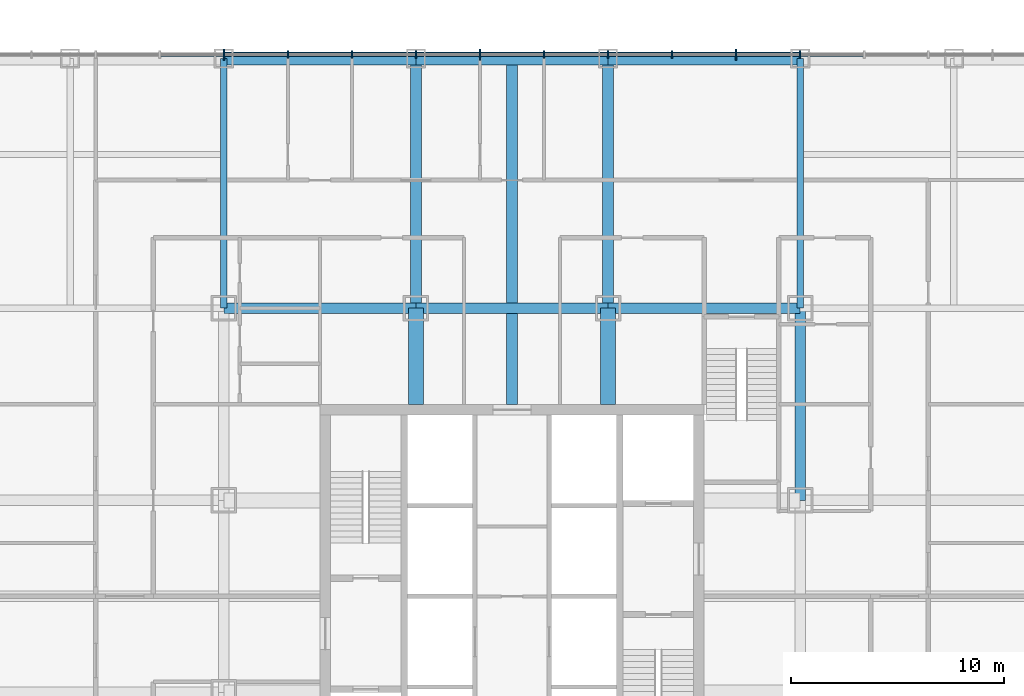
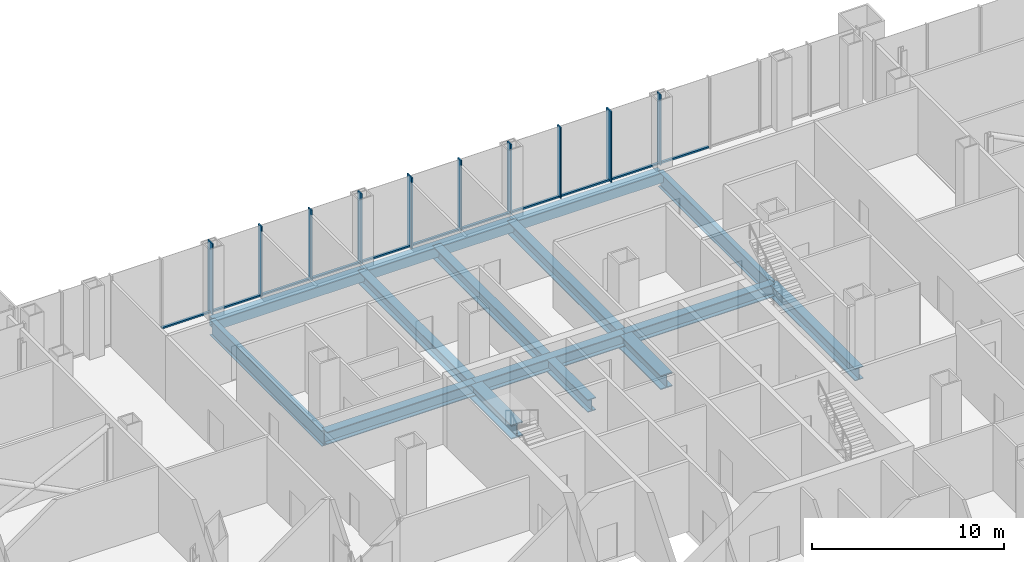
# One storey, part 9 of 25: 21 members, 14 beams, 1 element without a shape of its own.
"""IFC4 building model written with IfcOpenShell, lengths in metres."""

import ifcopenshell
import ifcopenshell.guid

model = None  # the IFC model being written
_history = None  # IfcOwnerHistory: only IFC2X3 demands one
_inside = {}  # id of a spatial element -> (the spatial element, [elements in it])
_under = {}  # id of a project, library or spatial element -> (it, [spatial elements below it])
_declared = {}  # id of a project -> (the project, [libraries it declares])
_typed = {}  # id of a type object -> (the type object, [elements of that type])
_made_of = {}  # id of a material, layer set ... -> (it, [elements and type objects made of it])


def new_model(schema):
    """Start an empty IFC model of exactly this schema.

    Asked for "IFC4X3", IfcOpenShell would pick the latest addendum, in which some entities
    have other attributes; the version numbers below select the first issue.
    IFC2X3 requires an IfcOwnerHistory on every rooted entity: one is made here for all.
    """
    global model, _history
    if schema == "IFC4X3":
        model = ifcopenshell.file(schema_version=(4, 3, 0, 0))
    else:
        model = ifcopenshell.file(schema=schema)
    _inside.clear()
    _under.clear()
    _declared.clear()
    _typed.clear()
    _made_of.clear()
    _history = None
    if model.schema == "IFC2X3":
        org = make("IfcOrganization", Name="unknown")
        user = make(
            "IfcPersonAndOrganization",
            ThePerson=make("IfcPerson", FamilyName="unknown"),
            TheOrganization=org,
        )
        app = make(
            "IfcApplication",
            ApplicationDeveloper=org,
            Version="unknown",
            ApplicationFullName="unknown",
            ApplicationIdentifier="unknown",
        )
        _history = make(
            "IfcOwnerHistory",
            OwningUser=user,
            OwningApplication=app,
            ChangeAction="ADDED",
            CreationDate=0,
        )
    return model


def make(cls, **values):
    """One entity of the class cls with the attributes given. An attribute that is None is left unset."""
    return model.create_entity(
        cls, **{name: value for name, value in values.items() if value is not None}
    )


def rooted(cls, **values):
    """An entity with a GlobalId (a new one), such as an element, a storey or a relation."""
    return make(cls, GlobalId=ifcopenshell.guid.new(), OwnerHistory=_history, **values)


def si_unit(unit_type, name, prefix=None):
    """IfcSIUnit, for example si_unit("LENGTHUNIT", "METRE", prefix="MILLI")."""
    return make("IfcSIUnit", UnitType=unit_type, Prefix=prefix, Name=name)


def assignment(units):
    """IfcUnitAssignment: the units of a project."""
    return None if units is None else make("IfcUnitAssignment", Units=units)


def point(xyz):
    """IfcCartesianPoint."""
    return None if xyz is None else make("IfcCartesianPoint", Coordinates=xyz)


def direction(xyz):
    """IfcDirection."""
    return None if xyz is None else make("IfcDirection", DirectionRatios=xyz)


def frame(location, z_axis=None, x_axis=None):
    """IfcAxis2Placement3D, a coordinate frame: its origin and axes. An axis left out is left unset."""
    return make(
        "IfcAxis2Placement3D",
        Location=point(location),
        Axis=direction(z_axis),
        RefDirection=direction(x_axis),
    )


def frame_2d(location, x_axis=None):
    """IfcAxis2Placement2D, a coordinate frame in the plane: its origin and x axis."""
    return make(
        "IfcAxis2Placement2D", Location=point(location), RefDirection=direction(x_axis)
    )


def origin():
    """The frame at (0, 0, 0) with its axes left unset."""
    return frame((0.0, 0.0, 0.0))


def origin_2d():
    """The frame at (0, 0) in the plane with its x axis left unset."""
    return frame_2d((0.0, 0.0))


def place(relative_to, where):
    """IfcLocalPlacement: puts the frame where relative to a parent placement (None: the world)."""
    return make(
        "IfcLocalPlacement", PlacementRelTo=relative_to, RelativePlacement=where
    )


def context(
    kind, dimensions, precision=None, world=None, true_north=None, identifier=None
):
    """IfcGeometricRepresentationContext, for example the 3D "Model" context."""
    return make(
        "IfcGeometricRepresentationContext",
        ContextIdentifier=identifier,
        ContextType=kind,
        CoordinateSpaceDimension=dimensions,
        Precision=precision,
        WorldCoordinateSystem=world,
        TrueNorth=true_north,
    )


def subcontext(parent, identifier, kind, view, scale=None):
    """IfcGeometricRepresentationSubContext, for example "Body" below "Model"."""
    return make(
        "IfcGeometricRepresentationSubContext",
        ContextIdentifier=identifier,
        ContextType=kind,
        ParentContext=parent,
        TargetScale=scale,
        TargetView=view,
    )


def project(units=None, contexts=None):
    """IfcProject with its units and contexts."""
    return rooted(
        "IfcProject",
        Name="project",
        RepresentationContexts=contexts,
        UnitsInContext=assignment(units),
    )


def spatial(cls, under=None, at=None, **own):
    """A site, building, storey or space (cls), placed at a placement, below another one or the project."""
    s = rooted(cls, ObjectPlacement=at, **own)
    if under is not None:
        _under.setdefault(under.id(), (under, []))[1].append(s)
    return s


def profile(cls, at=None, kind="AREA", **sizes):
    """A parametric profile (cls). Its sizes go by their IFC names, for example OverallWidth=200.0."""
    return make(cls, ProfileType=kind, Position=at, **sizes)


def rectangle(**sizes):
    """IfcRectangleProfileDef."""
    return profile("IfcRectangleProfileDef", **sizes)


def hollow_rectangle(**sizes):
    """IfcRectangleHollowProfileDef."""
    return profile("IfcRectangleHollowProfileDef", **sizes)


def i_section(**sizes):
    """IfcIShapeProfileDef."""
    return profile("IfcIShapeProfileDef", **sizes)


def extrude(swept, where, along, depth):
    """IfcExtrudedAreaSolid: the profile swept, set in the frame where, extruded along a direction by depth."""
    return make(
        "IfcExtrudedAreaSolid",
        SweptArea=swept,
        Position=where,
        ExtrudedDirection=direction(along),
        Depth=depth,
    )


def shape(context_of_items, identifier, shape_type, items):
    """IfcShapeRepresentation: the items that make up one representation, for example the "Body"."""
    return make(
        "IfcShapeRepresentation",
        ContextOfItems=context_of_items,
        RepresentationIdentifier=identifier,
        RepresentationType=shape_type,
        Items=items,
    )


def material(Name=None, Category=None):
    """IfcMaterial."""
    return make("IfcMaterial", Name=Name, Category=Category)


def layer(
    of_material, thickness, ventilated=None, Name=None, Category=None, Priority=None
):
    """IfcMaterialLayer: one layer of a wall or slab, of a material (None: an air gap)."""
    return make(
        "IfcMaterialLayer",
        Material=of_material,
        LayerThickness=thickness,
        IsVentilated=ventilated,
        Name=Name,
        Category=Category,
        Priority=Priority,
    )


def layer_set(layers, Name=None):
    """IfcMaterialLayerSet."""
    return make("IfcMaterialLayerSet", MaterialLayers=layers, LayerSetName=Name)


def material_profile(
    of_material, cross_section, Name=None, Category=None, Priority=None
):
    """IfcMaterialProfile: a cross section and its material."""
    return make(
        "IfcMaterialProfile",
        Name=Name,
        Material=of_material,
        Profile=cross_section,
        Priority=Priority,
        Category=Category,
    )


def profile_set(profiles, Name=None, composite=None):
    """IfcMaterialProfileSet."""
    return make(
        "IfcMaterialProfileSet",
        Name=Name,
        MaterialProfiles=profiles,
        CompositeProfile=composite,
    )


def made_of(thing, what):
    """Note that an element or type object is made of a material, layer set ...; save() writes the relation."""
    if what is not None:
        _made_of.setdefault(what.id(), (what, []))[1].append(thing)
    return thing


def type_object(cls, material=None, **own):
    """A type object (cls), such as IfcWallType, which elements share."""
    return made_of(rooted(cls, **own), material)


def element(
    cls,
    number,
    at=None,
    inside=None,
    cuts=None,
    type_object=None,
    material=None,
    context=None,
    identifier="Body",
    shape_type=None,
    held_by="IfcProductDefinitionShape",
    body=None,
    shapes=None,
    **own,
):
    """One element of the class cls, such as IfcWall. Its Tag is "e" and its number.

    at: its placement. inside: the storey or other place that contains it. cuts: it is an
    opening in that element (IfcRelVoidsElement). A single representation is given by context,
    identifier, shape_type and body (its items); several are given by shapes. held_by: the class
    of the entity that holds the representations. save() writes the other relations.
    """
    e = rooted(cls, Tag="e%d" % number, ObjectPlacement=at, **own)
    if body is not None:
        shapes = [shape(context, identifier, shape_type, body)]
    if shapes is not None:
        e.Representation = make(held_by, Representations=shapes)
    if inside is not None:
        _inside.setdefault(inside.id(), (inside, []))[1].append(e)
    if cuts is not None:
        rooted(
            "IfcRelVoidsElement", RelatingBuildingElement=cuts, RelatedOpeningElement=e
        )
    if type_object is not None:
        _typed.setdefault(type_object.id(), (type_object, []))[1].append(e)
    return made_of(e, material)


def aggregate(whole, parts):
    """IfcRelAggregates: a whole, such as a stair, and the parts it consists of."""
    return rooted("IfcRelAggregates", RelatingObject=whole, RelatedObjects=parts)


def save(model, path):
    """Write the relations noted so far, then the file.

    IfcRelAggregates (storeys below a building ...), IfcRelContainedInSpatialStructure (elements
    in a storey), IfcRelDefinesByType, IfcRelAssociatesMaterial and IfcRelDeclares: one each for
    every whole, place, type object, material and project.
    """
    for whole, parts in _under.values():
        aggregate(whole, parts)
    for where, things in _inside.values():
        rooted(
            "IfcRelContainedInSpatialStructure",
            RelatedElements=things,
            RelatingStructure=where,
        )
    for kind, things in _typed.values():
        rooted("IfcRelDefinesByType", RelatedObjects=things, RelatingType=kind)
    for what, things in _made_of.values():
        rooted("IfcRelAssociatesMaterial", RelatedObjects=things, RelatingMaterial=what)
    for by, libraries in _declared.values():
        rooted("IfcRelDeclares", RelatingContext=by, RelatedDefinitions=libraries)
    model.write(path)


model = new_model("IFC4")

# Units and contexts
model_context = context("Model", 3, precision=1e-05, world=origin(), true_north=direction((0.0, 1.0)))
body_context = subcontext(model_context, "Body", "Model", "MODEL_VIEW")
ifc_project = project(units=[si_unit("LENGTHUNIT", "METRE"), si_unit("AREAUNIT", "SQUARE_METRE"), si_unit("VOLUMEUNIT", "CUBIC_METRE"), si_unit("PLANEANGLEUNIT", "RADIAN"), si_unit("MASSUNIT", "GRAM", prefix="KILO")], contexts=[model_context])

# Site, building, storey
site_placement = place(None, origin())
site = spatial("IfcSite", under=ifc_project, at=site_placement, CompositionType="ELEMENT")
building_placement = place(site_placement, origin())
building = spatial("IfcBuilding", under=site, at=building_placement, Name="Malebo Sky Hospital", CompositionType="ELEMENT")
storey_placement = place(building_placement, frame((0.0, 0.0, 16.5)))
storey = spatial("IfcBuildingStorey", under=building, at=storey_placement, Name="L03", CompositionType="ELEMENT", Elevation=16.5)

# Curtain wall, members
ifc_material_1 = material(Name="Anodised aluminium, natural silver", Category="aluminium")
ifc_layer = layer(ifc_material_1, 0.25)
ifc_layer_set = layer_set([ifc_layer], Name="PODIUM ENTRANCE BAY CURTAIN WALL")
curtain_wall_type = type_object("IfcCurtainWallType", Name="PODIUM ENTRANCE BAY CURTAIN WALL", PredefinedType="NOTDEFINED", material=ifc_layer_set)
curtain_wall_placement = place(storey_placement, origin())
curtain_wall = element("IfcCurtainWall", 1, at=curtain_wall_placement, inside=storey, type_object=curtain_wall_type, Name="BAY curtain wall BN", PredefinedType="NOTDEFINED")
ifc_material_profile_1 = material_profile(ifc_material_1, rectangle(XDim=0.14990234375, YDim=0.10009765625, at=origin_2d()), Name="ALUMINIUM TRANSOM 150x100")
ifc_profile_set_1 = profile_set([ifc_material_profile_1], Name="Anodised aluminium, natural silver")
member_type_1 = type_object("IfcMemberType", Name="ALUMINIUM TRANSOM 150x100", PredefinedType="USERDEFINED", material=ifc_profile_set_1)
member_1_placement = place(storey_placement, frame((76.46240234375, 87.375, 0.050048828125), z_axis=(-1.0, 0.0, 0.0), x_axis=(0.0, -1.0, 0.0)))
member_1 = element("IfcMember", 2, at=member_1_placement, type_object=member_type_1, Name="Transom 4", ObjectType="TRANSOM", PredefinedType="USERDEFINED", context=body_context, shape_type="SweptSolid", body=[
    extrude(rectangle(XDim=0.14990234375, YDim=0.10009765625, at=origin_2d()), origin(), (0.0, 0.0, 1.0), 2.9248046875),
])
member_2_placement = place(storey_placement, frame((73.46240234375, 87.375, 0.050048828125), z_axis=(-1.0, 0.0, 0.0), x_axis=(0.0, -1.0, 0.0)))
member_2 = element("IfcMember", 3, at=member_2_placement, type_object=member_type_1, Name="Transom 5", ObjectType="TRANSOM", PredefinedType="USERDEFINED", context=body_context, shape_type="SweptSolid", body=[
    extrude(rectangle(XDim=0.14990234375, YDim=0.10009765625, at=origin_2d()), origin(), (0.0, 0.0, 1.0), 2.9248046875),
])
member_3_placement = place(storey_placement, frame((70.46240234375, 87.375, 0.050048828125), z_axis=(-1.0, 0.0, 0.0), x_axis=(0.0, -1.0, 0.0)))
member_3 = element("IfcMember", 4, at=member_3_placement, type_object=member_type_1, Name="Transom 6", ObjectType="TRANSOM", PredefinedType="USERDEFINED", context=body_context, shape_type="SweptSolid", body=[
    extrude(rectangle(XDim=0.14990234375, YDim=0.10009765625, at=origin_2d()), origin(), (0.0, 0.0, 1.0), 2.9248046875),
])
member_4_placement = place(storey_placement, frame((67.46240234375, 87.375, 0.050048828125), z_axis=(-1.0, 0.0, 0.0), x_axis=(0.0, -1.0, 0.0)))
member_4 = element("IfcMember", 5, at=member_4_placement, type_object=member_type_1, Name="Transom 7", ObjectType="TRANSOM", PredefinedType="USERDEFINED", context=body_context, shape_type="SweptSolid", body=[
    extrude(rectangle(XDim=0.14990234375, YDim=0.10009765625, at=origin_2d()), origin(), (0.0, 0.0, 1.0), 2.9248046875),
])
member_5_placement = place(storey_placement, frame((64.46240234375, 87.375, 0.050048828125), z_axis=(-1.0, 0.0, 0.0), x_axis=(0.0, -1.0, 0.0)))
member_5 = element("IfcMember", 6, at=member_5_placement, type_object=member_type_1, Name="Transom 8", ObjectType="TRANSOM", PredefinedType="USERDEFINED", context=body_context, shape_type="SweptSolid", body=[
    extrude(rectangle(XDim=0.14990234375, YDim=0.10009765625, at=origin_2d()), origin(), (0.0, 0.0, 1.0), 2.9248046875),
])
member_6_placement = place(storey_placement, frame((61.46240234375, 87.375, 0.050048828125), z_axis=(-1.0, 0.0, 0.0), x_axis=(0.0, -1.0, 0.0)))
member_6 = element("IfcMember", 7, at=member_6_placement, type_object=member_type_1, Name="Transom 9", ObjectType="TRANSOM", PredefinedType="USERDEFINED", context=body_context, shape_type="SweptSolid", body=[
    extrude(rectangle(XDim=0.14990234375, YDim=0.10009765625, at=origin_2d()), origin(), (0.0, 0.0, 1.0), 2.9248046875),
])
member_7_placement = place(storey_placement, frame((58.46240234375, 87.375, 0.050048828125), z_axis=(-1.0, 0.0, 0.0), x_axis=(0.0, -1.0, 0.0)))
member_7 = element("IfcMember", 8, at=member_7_placement, type_object=member_type_1, Name="Transom 10", ObjectType="TRANSOM", PredefinedType="USERDEFINED", context=body_context, shape_type="SweptSolid", body=[
    extrude(rectangle(XDim=0.14990234375, YDim=0.10009765625, at=origin_2d()), origin(), (0.0, 0.0, 1.0), 2.9248046875),
])
member_8_placement = place(storey_placement, frame((55.46240234375, 87.375, 0.050048828125), z_axis=(-1.0, 0.0, 0.0), x_axis=(0.0, -1.0, 0.0)))
member_8 = element("IfcMember", 9, at=member_8_placement, type_object=member_type_1, Name="Transom 11", ObjectType="TRANSOM", PredefinedType="USERDEFINED", context=body_context, shape_type="SweptSolid", body=[
    extrude(rectangle(XDim=0.14990234375, YDim=0.10009765625, at=origin_2d()), origin(), (0.0, 0.0, 1.0), 2.9248046875),
])
member_9_placement = place(storey_placement, frame((52.46240234375, 87.375, 0.050048828125), z_axis=(-1.0, 0.0, 0.0), x_axis=(0.0, -1.0, 0.0)))
member_9 = element("IfcMember", 10, at=member_9_placement, type_object=member_type_1, Name="Transom 12", ObjectType="TRANSOM", PredefinedType="USERDEFINED", context=body_context, shape_type="SweptSolid", body=[
    extrude(rectangle(XDim=0.14990234375, YDim=0.10009765625, at=origin_2d()), origin(), (0.0, 0.0, 1.0), 2.9248046875),
])
member_10_placement = place(storey_placement, frame((49.46240234375, 87.375, 0.050048828125), z_axis=(-1.0, 0.0, 0.0), x_axis=(0.0, -1.0, 0.0)))
member_10 = element("IfcMember", 11, at=member_10_placement, type_object=member_type_1, Name="Transom 13", ObjectType="TRANSOM", PredefinedType="USERDEFINED", context=body_context, shape_type="SweptSolid", body=[
    extrude(rectangle(XDim=0.14990234375, YDim=0.10009765625, at=origin_2d()), origin(), (0.0, 0.0, 1.0), 2.9248046875),
])
member_11_placement = place(storey_placement, frame((46.46240234375, 87.375, 0.050048828125), z_axis=(-1.0, 0.0, 0.0), x_axis=(0.0, -1.0, 0.0)))
member_11 = element("IfcMember", 12, at=member_11_placement, type_object=member_type_1, Name="Transom 14", ObjectType="TRANSOM", PredefinedType="USERDEFINED", context=body_context, shape_type="SweptSolid", body=[
    extrude(rectangle(XDim=0.14990234375, YDim=0.10009765625, at=origin_2d()), origin(), (0.0, 0.0, 1.0), 2.9248046875),
])
ifc_material_profile_2 = material_profile(ifc_material_1, rectangle(XDim=0.074951171875, YDim=0.35009765625, at=origin_2d()), Name="CW4 ALUMINIUM FIN MULLION 75x350")
ifc_profile_set_2 = profile_set([ifc_material_profile_2], Name="Anodised aluminium, natural silver")
member_type_2 = type_object("IfcMemberType", Name="CW4 ALUMINIUM FIN MULLION 75x350", PredefinedType="MULLION", material=ifc_profile_set_2)
member_12_placement = place(storey_placement, frame((73.5, 87.375, 0.0), z_axis=(0.0, 0.0, 1.0), x_axis=(-1.0, 0.0, 0.0)))
member_12 = element("IfcMember", 13, at=member_12_placement, type_object=member_type_2, Name="Fin mullion 5", PredefinedType="MULLION", context=body_context, shape_type="SweptSolid", body=[
    extrude(rectangle(XDim=0.074951171875, YDim=0.35009765625, at=origin_2d()), origin(), (0.0, 0.0, 1.0), 4.5),
])
member_13_placement = place(storey_placement, frame((67.5, 87.375, 0.0), z_axis=(0.0, 0.0, 1.0), x_axis=(-1.0, 0.0, 0.0)))
member_13 = element("IfcMember", 14, at=member_13_placement, type_object=member_type_2, Name="Fin mullion 7", PredefinedType="MULLION", context=body_context, shape_type="SweptSolid", body=[
    extrude(rectangle(XDim=0.074951171875, YDim=0.35009765625, at=origin_2d()), origin(), (0.0, 0.0, 1.0), 4.5),
])
member_14_placement = place(storey_placement, frame((64.5, 87.375, 0.0), z_axis=(0.0, 0.0, 1.0), x_axis=(-1.0, 0.0, 0.0)))
member_14 = element("IfcMember", 15, at=member_14_placement, type_object=member_type_2, Name="Fin mullion 8", PredefinedType="MULLION", context=body_context, shape_type="SweptSolid", body=[
    extrude(rectangle(XDim=0.074951171875, YDim=0.35009765625, at=origin_2d()), origin(), (0.0, 0.0, 1.0), 4.5),
])
member_15_placement = place(storey_placement, frame((61.5, 87.375, 0.0), z_axis=(0.0, 0.0, 1.0), x_axis=(-1.0, 0.0, 0.0)))
member_15 = element("IfcMember", 16, at=member_15_placement, type_object=member_type_2, Name="Fin mullion 9", PredefinedType="MULLION", context=body_context, shape_type="SweptSolid", body=[
    extrude(rectangle(XDim=0.074951171875, YDim=0.35009765625, at=origin_2d()), origin(), (0.0, 0.0, 1.0), 4.5),
])
member_16_placement = place(storey_placement, frame((55.5, 87.375, 0.0), z_axis=(0.0, 0.0, 1.0), x_axis=(-1.0, 0.0, 0.0)))
member_16 = element("IfcMember", 17, at=member_16_placement, type_object=member_type_2, Name="Fin mullion 11", PredefinedType="MULLION", context=body_context, shape_type="SweptSolid", body=[
    extrude(rectangle(XDim=0.074951171875, YDim=0.35009765625, at=origin_2d()), origin(), (0.0, 0.0, 1.0), 4.5),
])
member_17_placement = place(storey_placement, frame((52.5, 87.375, 0.0), z_axis=(0.0, 0.0, 1.0), x_axis=(-1.0, 0.0, 0.0)))
member_17 = element("IfcMember", 18, at=member_17_placement, type_object=member_type_2, Name="Fin mullion 12", PredefinedType="MULLION", context=body_context, shape_type="SweptSolid", body=[
    extrude(rectangle(XDim=0.074951171875, YDim=0.35009765625, at=origin_2d()), origin(), (0.0, 0.0, 1.0), 4.5),
])
member_18_placement = place(storey_placement, frame((49.5, 87.375, 0.0), z_axis=(0.0, 0.0, 1.0), x_axis=(-1.0, 0.0, 0.0)))
member_18 = element("IfcMember", 19, at=member_18_placement, type_object=member_type_2, Name="Fin mullion 13", PredefinedType="MULLION", context=body_context, shape_type="SweptSolid", body=[
    extrude(rectangle(XDim=0.074951171875, YDim=0.35009765625, at=origin_2d()), origin(), (0.0, 0.0, 1.0), 4.5),
])
ifc_material_profile_3 = material_profile(ifc_material_1, rectangle(XDim=0.074951171875, YDim=0.5, at=origin_2d()), Name="CW4 ALUMINIUM FIN MULLION 75x500")
ifc_profile_set_3 = profile_set([ifc_material_profile_3], Name="Anodised aluminium, natural silver")
member_type_3 = type_object("IfcMemberType", Name="CW4 ALUMINIUM FIN MULLION 75x500", PredefinedType="MULLION", material=ifc_profile_set_3)
member_19_placement = place(storey_placement, frame((70.5, 87.375, 0.0), z_axis=(0.0, 0.0, 1.0), x_axis=(-1.0, 0.0, 0.0)))
member_19 = element("IfcMember", 20, at=member_19_placement, type_object=member_type_3, Name="Fin mullion 6", PredefinedType="MULLION", context=body_context, shape_type="SweptSolid", body=[
    extrude(rectangle(XDim=0.074951171875, YDim=0.5, at=origin_2d()), origin(), (0.0, 0.0, 1.0), 4.5),
])
member_20_placement = place(storey_placement, frame((58.5, 87.375, 0.0), z_axis=(0.0, 0.0, 1.0), x_axis=(-1.0, 0.0, 0.0)))
member_20 = element("IfcMember", 21, at=member_20_placement, type_object=member_type_3, Name="Fin mullion 10", PredefinedType="MULLION", context=body_context, shape_type="SweptSolid", body=[
    extrude(rectangle(XDim=0.074951171875, YDim=0.5, at=origin_2d()), origin(), (0.0, 0.0, 1.0), 4.5),
])
member_21_placement = place(storey_placement, frame((46.5, 87.375, 0.0), z_axis=(0.0, 0.0, 1.0), x_axis=(-1.0, 0.0, 0.0)))
member_21 = element("IfcMember", 22, at=member_21_placement, type_object=member_type_3, Name="Fin mullion 14", PredefinedType="MULLION", context=body_context, shape_type="SweptSolid", body=[
    extrude(rectangle(XDim=0.074951171875, YDim=0.5, at=origin_2d()), origin(), (0.0, 0.0, 1.0), 4.5),
])
aggregate(curtain_wall, [member_12, member_19, member_13, member_14, member_15, member_20, member_16, member_17, member_18, member_21, member_1, member_2, member_3, member_4, member_5, member_6, member_7, member_8, member_9, member_10, member_11])

# Beams
ifc_material_2 = material(Name="Steel S460", Category="steel")
ifc_material_profile_4 = material_profile(ifc_material_2, hollow_rectangle(XDim=0.60009765625, YDim=0.60009765625, WallThickness=0.0400390625, at=origin_2d()), Name="BOX 600x600x40")
ifc_profile_set_4 = profile_set([ifc_material_profile_4], Name="Steel S460")
beam_type_1 = type_object("IfcBeamType", Name="EDGE BEAM BOX 600x600x40", PredefinedType="BEAM", material=ifc_profile_set_4)
for number, where, z_axis, x_axis, name in (
    (23, (46.5, 87.199951171875, -0.60009765625), (1.0, 0.0, 0.0), (0.0, 1.0, 0.0), "Beam 071 L03"),
    (24, (55.5, 87.199951171875, -0.60009765625), (1.0, 0.0, 0.0), (0.0, 1.0, 0.0), "Beam 072 L03"),
    (25, (64.5, 87.199951171875, -0.60009765625), (1.0, 0.0, 0.0), (0.0, 1.0, 0.0), "Beam 073 L03"),
):
    element("IfcBeam", number, at=place(storey_placement, frame(where, z_axis=z_axis, x_axis=x_axis)), inside=storey, type_object=beam_type_1, Name=name, PredefinedType="BEAM", context=body_context, shape_type="SweptSolid", body=[
        extrude(hollow_rectangle(XDim=0.60009765625, YDim=0.60009765625, WallThickness=0.0400390625, at=origin_2d()), origin(), (0.0, 0.0, 1.0), 9.0),
    ])
ifc_material_3 = material(Name="Steel S355", Category="steel")
ifc_material_profile_5 = material_profile(ifc_material_3, i_section(OverallWidth=0.5, OverallDepth=0.800048828125, WebThickness=0.030029296875, FlangeThickness=0.050048828125, at=origin_2d()), Name="PG 800x500x30x50")
ifc_profile_set_5 = profile_set([ifc_material_profile_5], Name="Steel S355")
beam_type_2 = type_object("IfcBeamType", Name="FLOOR BEAM PG 800x500x30x50", PredefinedType="BEAM", material=ifc_profile_set_5)
beam_1_placement = place(storey_placement, frame((55.5, 75.5, -0.699951171875), z_axis=(0.0, 1.0, 0.0), x_axis=(-1.0, 0.0, 0.0)))
element("IfcBeam", 26, at=beam_1_placement, inside=storey, type_object=beam_type_2, Name="Beam 017 L03", PredefinedType="BEAM", context=body_context, shape_type="SweptSolid", body=[
    extrude(i_section(OverallWidth=0.5, OverallDepth=0.800048828125, WebThickness=0.030029296875, FlangeThickness=0.050048828125, at=origin_2d()), origin(), (0.0, 0.0, 1.0), 11.699951171875),
])
beam_2_placement = place(storey_placement, frame((60.0, 71.0, -0.699951171875), z_axis=(0.0, 1.0, 0.0), x_axis=(-1.0, 0.0, 0.0)))
element("IfcBeam", 27, at=beam_2_placement, inside=storey, type_object=beam_type_2, Name="Beam 019 L03", PredefinedType="BEAM", context=body_context, shape_type="SweptSolid", body=[
    extrude(i_section(OverallWidth=0.5, OverallDepth=0.800048828125, WebThickness=0.030029296875, FlangeThickness=0.050048828125, at=origin_2d()), origin(), (0.0, 0.0, 1.0), 16.199951171875),
])
beam_3_placement = place(storey_placement, frame((64.5, 75.5, -0.699951171875), z_axis=(0.0, 1.0, 0.0), x_axis=(-1.0, 0.0, 0.0)))
element("IfcBeam", 28, at=beam_3_placement, inside=storey, type_object=beam_type_2, Name="Beam 023 L03", PredefinedType="BEAM", context=body_context, shape_type="SweptSolid", body=[
    extrude(i_section(OverallWidth=0.5, OverallDepth=0.800048828125, WebThickness=0.030029296875, FlangeThickness=0.050048828125, at=origin_2d()), origin(), (0.0, 0.0, 1.0), 11.699951171875),
])
for number, where, z_axis, x_axis, name in (
    (29, (73.5, 66.5, -0.699951171875), (0.0, 1.0, 0.0), (-1.0, 0.0, 0.0), "Beam 027 L03"),
    (30, (46.5, 75.5, -0.699951171875), (1.0, 0.0, 0.0), (0.0, 1.0, 0.0), "Beam 063 L03"),
    (31, (64.5, 75.5, -0.699951171875), (1.0, 0.0, 0.0), (0.0, 1.0, 0.0), "Beam 065 L03"),
):
    element("IfcBeam", number, at=place(storey_placement, frame(where, z_axis=z_axis, x_axis=x_axis)), inside=storey, type_object=beam_type_2, Name=name, PredefinedType="BEAM", context=body_context, shape_type="SweptSolid", body=[
        extrude(i_section(OverallWidth=0.5, OverallDepth=0.800048828125, WebThickness=0.030029296875, FlangeThickness=0.050048828125, at=origin_2d()), origin(), (0.0, 0.0, 1.0), 9.0),
    ])
ifc_material_profile_6 = material_profile(ifc_material_3, i_section(OverallWidth=0.699951171875, OverallDepth=0.89990234375, WebThickness=0.0400390625, FlangeThickness=0.070068359375, at=origin_2d()), Name="PG 900x700x40x70")
ifc_profile_set_6 = profile_set([ifc_material_profile_6], Name="Steel S355")
beam_type_3 = type_object("IfcBeamType", Name="FLOOR BEAM PG 900x700x40x70", PredefinedType="BEAM", material=ifc_profile_set_6)
for number, where, z_axis, x_axis, name in (
    (32, (55.5, 71.0, -0.75), (0.0, 1.0, 0.0), (-1.0, 0.0, 0.0), "Beam 016 L03"),
    (33, (64.5, 71.0, -0.75), (0.0, 1.0, 0.0), (-1.0, 0.0, 0.0), "Beam 022 L03"),
):
    element("IfcBeam", number, at=place(storey_placement, frame(where, z_axis=z_axis, x_axis=x_axis)), inside=storey, type_object=beam_type_3, Name=name, PredefinedType="BEAM", context=body_context, shape_type="SweptSolid", body=[
        extrude(i_section(OverallWidth=0.699951171875, OverallDepth=0.89990234375, WebThickness=0.0400390625, FlangeThickness=0.070068359375, at=origin_2d()), origin(), (0.0, 0.0, 1.0), 4.5),
    ])
ifc_material_profile_7 = material_profile(ifc_material_3, i_section(OverallWidth=0.300048828125, OverallDepth=1.0, WebThickness=0.01904296875, FlangeThickness=0.035888671875, FilletRadius=0.030029296875, at=origin_2d()), Name="HEB 1000")
ifc_profile_set_7 = profile_set([ifc_material_profile_7], Name="Steel S355")
beam_type_4 = type_object("IfcBeamType", Name="FLOOR GIRDER HEB 1000", PredefinedType="BEAM", material=ifc_profile_set_7)
for number, where, z_axis, x_axis, name in (
    (34, (46.5, 75.5, -0.800048828125), (0.0, 1.0, 0.0), (-1.0, 0.0, 0.0), "Beam 013 L03"),
    (35, (73.5, 75.5, -0.800048828125), (0.0, 1.0, 0.0), (-1.0, 0.0, 0.0), "Beam 028 L03"),
):
    element("IfcBeam", number, at=place(storey_placement, frame(where, z_axis=z_axis, x_axis=x_axis)), inside=storey, type_object=beam_type_4, Name=name, PredefinedType="BEAM", context=body_context, shape_type="SweptSolid", body=[
        extrude(i_section(OverallWidth=0.300048828125, OverallDepth=1.0, WebThickness=0.01904296875, FlangeThickness=0.035888671875, FilletRadius=0.030029296875, at=origin_2d()), origin(), (0.0, 0.0, 1.0), 11.699951171875),
    ])
ifc_material_profile_8 = material_profile(ifc_material_3, i_section(OverallWidth=0.5, OverallDepth=0.800048828125, WebThickness=0.030029296875, FlangeThickness=0.050048828125, at=origin_2d()), Name="PG 800x500x30x50")
ifc_profile_set_8 = profile_set([ifc_material_profile_8], Name="Steel S355")
beam_type_5 = type_object("IfcBeamType", Name="RING GIRDER PG 800x500x30x50", PredefinedType="BEAM", material=ifc_profile_set_8)
beam_4_placement = place(storey_placement, frame((55.5, 75.5, -0.699951171875), z_axis=(1.0, 0.0, 0.0), x_axis=(0.0, 1.0, 0.0)))
element("IfcBeam", 36, at=beam_4_placement, inside=storey, type_object=beam_type_5, Name="Beam 064 L03", PredefinedType="BEAM", context=body_context, shape_type="SweptSolid", body=[
    extrude(i_section(OverallWidth=0.5, OverallDepth=0.800048828125, WebThickness=0.030029296875, FlangeThickness=0.050048828125, at=origin_2d()), origin(), (0.0, 0.0, 1.0), 9.0),
])

save(model, "model.ifc")
